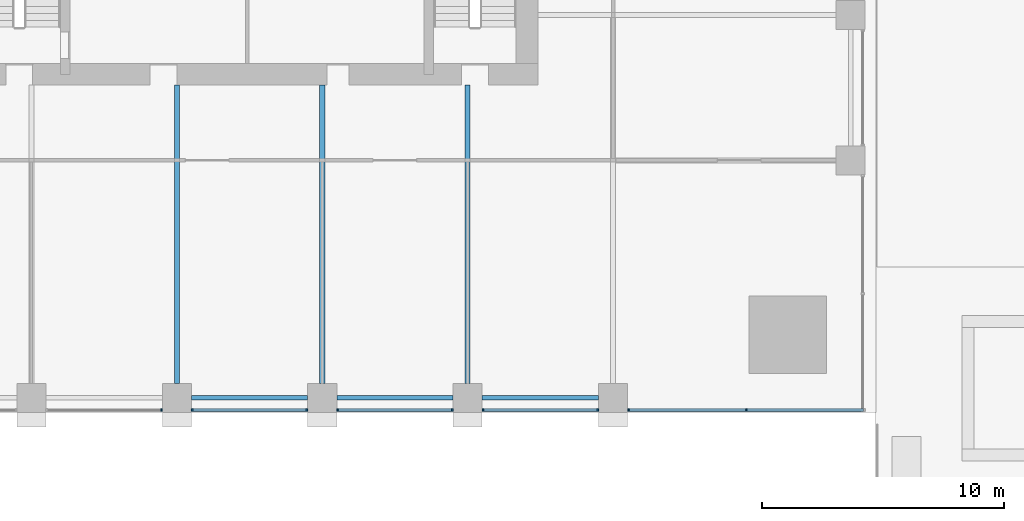
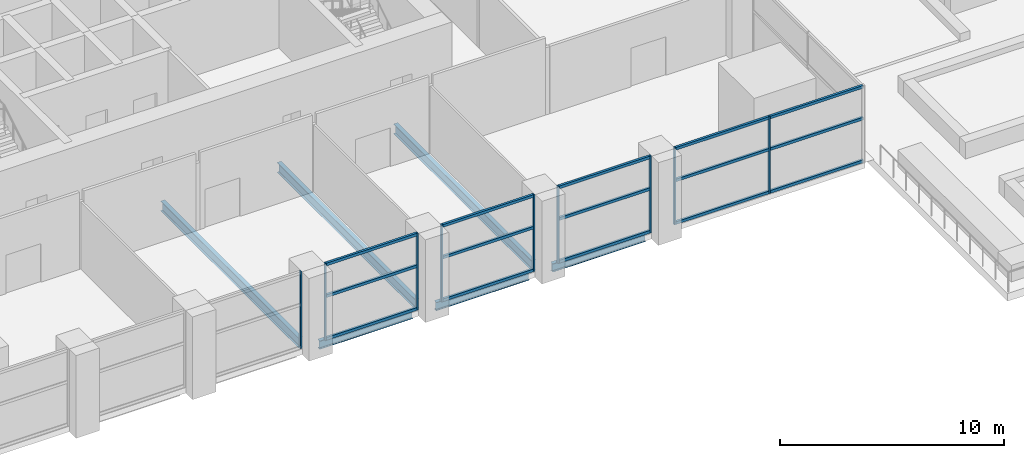
# One storey, part 4 of 34: 24 members, 6 beams, 5 elements without a shape of their own.
"""IFC4 building model written with IfcOpenShell, lengths in metres."""

from ifc_helpers import new_model, si_unit, direction, frame, origin, origin_2d, place, context, subcontext, project, spatial, rectangle, i_section, extrude, material, material_profile, profile_set, type_object, element, aggregate, save


model = new_model("IFC4")

# Units and contexts
model_context = context("Model", 3, precision=1e-05, world=origin(), true_north=direction((0.0, 1.0)))
body_context = subcontext(model_context, "Body", "Model", "MODEL_VIEW")
ifc_project = project(units=[si_unit("LENGTHUNIT", "METRE"), si_unit("AREAUNIT", "SQUARE_METRE"), si_unit("VOLUMEUNIT", "CUBIC_METRE"), si_unit("PLANEANGLEUNIT", "RADIAN"), si_unit("MASSUNIT", "GRAM", prefix="KILO")], contexts=[model_context])

# Site, building, storey
site_placement = place(None, origin())
site = spatial("IfcSite", under=ifc_project, at=site_placement, CompositionType="ELEMENT")
building_placement = place(site_placement, origin())
building = spatial("IfcBuilding", under=site, at=building_placement, Name="Amberfall Residences", CompositionType="ELEMENT")
storey_placement = place(building_placement, frame((0.0, 0.0, 5.5)))
storey = spatial("IfcBuildingStorey", under=building, at=storey_placement, Name="L01", CompositionType="ELEMENT", Elevation=5.5)

# Curtain wall, member
ifc_material_1 = material(Name="Bronze anodised aluminium and glass", Category="aluminium")
curtain_wall_type = type_object("IfcCurtainWallType", Name="Curtain wall CW4 podium storefront", PredefinedType="USERDEFINED", material=ifc_material_1)
curtain_wall_1_placement = place(storey_placement, origin())
curtain_wall_1 = element("IfcCurtainWall", 1, at=curtain_wall_1_placement, inside=storey, type_object=curtain_wall_type, Name="Storefront L01 S3", ObjectType="UNITISED CURTAIN WALL", PredefinedType="USERDEFINED")
ifc_material_2 = material(Name="Bronze anodised aluminium", Category="aluminium")
ifc_material_profile_1 = material_profile(ifc_material_2, rectangle(XDim=0.1201171875, YDim=0.070068359375, at=origin_2d()), Name="CW4 mullion 70 x 120 bronze")
ifc_profile_set_1 = profile_set([ifc_material_profile_1], Name="Bronze anodised aluminium")
member_type_1 = type_object("IfcMemberType", Name="CW4 mullion 70 x 120 bronze", PredefinedType="MULLION", material=ifc_profile_set_1)
member_1_placement = place(storey_placement, frame((70.965087890625, 20.10009765625, 0.0), z_axis=(0.0, 0.0, 1.0), x_axis=(0.0, 1.0, 0.0)))
member_1 = element("IfcMember", 2, at=member_1_placement, type_object=member_type_1, Name="CW4 mullion 2", PredefinedType="MULLION", context=body_context, shape_type="SweptSolid", body=[
    extrude(rectangle(XDim=0.1201171875, YDim=0.070068359375, at=origin_2d()), origin(), (0.0, 0.0, 1.0), 4.199951171875),
])
aggregate(curtain_wall_1, [member_1])

# Curtain wall, members
curtain_wall_2_placement = place(storey_placement, origin())
curtain_wall_2 = element("IfcCurtainWall", 3, at=curtain_wall_2_placement, inside=storey, type_object=curtain_wall_type, Name="Storefront L01 S4", ObjectType="UNITISED CURTAIN WALL", PredefinedType="USERDEFINED")
member_2_placement = place(storey_placement, frame((72.235107421875, 20.10009765625, 0.0), z_axis=(0.0, 0.0, 1.0), x_axis=(0.0, 1.0, 0.0)))
member_2 = element("IfcMember", 4, at=member_2_placement, type_object=member_type_1, Name="CW4 mullion 1", PredefinedType="MULLION", context=body_context, shape_type="SweptSolid", body=[
    extrude(rectangle(XDim=0.1201171875, YDim=0.070068359375, at=origin_2d()), origin(), (0.0, 0.0, 1.0), 4.199951171875),
])
member_3_placement = place(storey_placement, frame((76.965087890625, 20.10009765625, 0.0), z_axis=(0.0, 0.0, 1.0), x_axis=(0.0, 1.0, 0.0)))
member_3 = element("IfcMember", 5, at=member_3_placement, type_object=member_type_1, Name="CW4 mullion 2", PredefinedType="MULLION", context=body_context, shape_type="SweptSolid", body=[
    extrude(rectangle(XDim=0.1201171875, YDim=0.070068359375, at=origin_2d()), origin(), (0.0, 0.0, 1.0), 4.199951171875),
])

curtain_wall_3_placement = place(storey_placement, origin())
curtain_wall_3 = element("IfcCurtainWall", 6, at=curtain_wall_3_placement, inside=storey, type_object=curtain_wall_type, Name="Storefront L01 S5", ObjectType="UNITISED CURTAIN WALL", PredefinedType="USERDEFINED")
member_4_placement = place(storey_placement, frame((78.235107421875, 20.10009765625, 0.0), z_axis=(0.0, 0.0, 1.0), x_axis=(0.0, 1.0, 0.0)))
member_4 = element("IfcMember", 7, at=member_4_placement, type_object=member_type_1, Name="CW4 mullion 1", PredefinedType="MULLION", context=body_context, shape_type="SweptSolid", body=[
    extrude(rectangle(XDim=0.1201171875, YDim=0.070068359375, at=origin_2d()), origin(), (0.0, 0.0, 1.0), 4.199951171875),
])
member_5_placement = place(storey_placement, frame((82.965087890625, 20.10009765625, 0.0), z_axis=(0.0, 0.0, 1.0), x_axis=(0.0, 1.0, 0.0)))
member_5 = element("IfcMember", 8, at=member_5_placement, type_object=member_type_1, Name="CW4 mullion 2", PredefinedType="MULLION", context=body_context, shape_type="SweptSolid", body=[
    extrude(rectangle(XDim=0.1201171875, YDim=0.070068359375, at=origin_2d()), origin(), (0.0, 0.0, 1.0), 4.199951171875),
])

curtain_wall_4_placement = place(storey_placement, origin())
curtain_wall_4 = element("IfcCurtainWall", 9, at=curtain_wall_4_placement, inside=storey, type_object=curtain_wall_type, Name="Storefront L01 S6", ObjectType="UNITISED CURTAIN WALL", PredefinedType="USERDEFINED")
member_6_placement = place(storey_placement, frame((84.235107421875, 20.10009765625, 0.0), z_axis=(0.0, 0.0, 1.0), x_axis=(0.0, 1.0, 0.0)))
member_6 = element("IfcMember", 10, at=member_6_placement, type_object=member_type_1, Name="CW4 mullion 1", PredefinedType="MULLION", context=body_context, shape_type="SweptSolid", body=[
    extrude(rectangle(XDim=0.1201171875, YDim=0.070068359375, at=origin_2d()), origin(), (0.0, 0.0, 1.0), 4.199951171875),
])
member_7_placement = place(storey_placement, frame((88.965087890625, 20.10009765625, 0.0), z_axis=(0.0, 0.0, 1.0), x_axis=(0.0, 1.0, 0.0)))
member_7 = element("IfcMember", 11, at=member_7_placement, type_object=member_type_1, Name="CW4 mullion 2", PredefinedType="MULLION", context=body_context, shape_type="SweptSolid", body=[
    extrude(rectangle(XDim=0.1201171875, YDim=0.070068359375, at=origin_2d()), origin(), (0.0, 0.0, 1.0), 4.199951171875),
])

curtain_wall_5_placement = place(storey_placement, origin())
curtain_wall_5 = element("IfcCurtainWall", 12, at=curtain_wall_5_placement, inside=storey, type_object=curtain_wall_type, Name="Storefront L01 S7", ObjectType="UNITISED CURTAIN WALL", PredefinedType="USERDEFINED")
member_8_placement = place(storey_placement, frame((90.235107421875, 20.10009765625, 0.0), z_axis=(0.0, 0.0, 1.0), x_axis=(0.0, 1.0, 0.0)))
member_8 = element("IfcMember", 13, at=member_8_placement, type_object=member_type_1, Name="CW4 mullion 1", PredefinedType="MULLION", context=body_context, shape_type="SweptSolid", body=[
    extrude(rectangle(XDim=0.1201171875, YDim=0.070068359375, at=origin_2d()), origin(), (0.0, 0.0, 1.0), 4.199951171875),
])
member_9_placement = place(storey_placement, frame((95.10009765625, 20.10009765625, 0.0), z_axis=(0.0, 0.0, 1.0), x_axis=(0.0, 1.0, 0.0)))
member_9 = element("IfcMember", 14, at=member_9_placement, type_object=member_type_1, Name="CW4 mullion 2", PredefinedType="MULLION", context=body_context, shape_type="SweptSolid", body=[
    extrude(rectangle(XDim=0.1201171875, YDim=0.070068359375, at=origin_2d()), origin(), (0.0, 0.0, 1.0), 4.199951171875),
])

# Member
ifc_material_profile_2 = material_profile(ifc_material_2, rectangle(XDim=0.1201171875, YDim=0.14990234375, at=origin_2d()), Name="CW4 transom 120 x 150 bronze")
ifc_profile_set_2 = profile_set([ifc_material_profile_2], Name="Bronze anodised aluminium")
member_type_2 = type_object("IfcMemberType", Name="CW4 transom 120 x 150 bronze", PredefinedType="USERDEFINED", material=ifc_profile_set_2)
member_10_placement = place(storey_placement, frame((72.27001953125, 20.10009765625, 0.074951171875), z_axis=(1.0, 0.0, 0.0), x_axis=(0.0, 1.0, 0.0)))
member_10 = element("IfcMember", 15, at=member_10_placement, type_object=member_type_2, Name="CW4 transom 1.1", ObjectType="TRANSOM", PredefinedType="USERDEFINED", context=body_context, shape_type="SweptSolid", body=[
    extrude(rectangle(XDim=0.1201171875, YDim=0.14990234375, at=origin_2d()), origin(), (0.0, 0.0, 1.0), 4.659912109375),
])

member_11_placement = place(storey_placement, frame((72.27001953125, 20.10009765625, 2.39990234375), z_axis=(1.0, 0.0, 0.0), x_axis=(0.0, 1.0, 0.0)))
member_11 = element("IfcMember", 16, at=member_11_placement, type_object=member_type_2, Name="CW4 transom 1.2", ObjectType="TRANSOM", PredefinedType="USERDEFINED", context=body_context, shape_type="SweptSolid", body=[
    extrude(rectangle(XDim=0.1201171875, YDim=0.14990234375, at=origin_2d()), origin(), (0.0, 0.0, 1.0), 4.659912109375),
])

member_12_placement = place(storey_placement, frame((72.27001953125, 20.10009765625, 4.125), z_axis=(1.0, 0.0, 0.0), x_axis=(0.0, 1.0, 0.0)))
member_12 = element("IfcMember", 17, at=member_12_placement, type_object=member_type_2, Name="CW4 transom 1.3", ObjectType="TRANSOM", PredefinedType="USERDEFINED", context=body_context, shape_type="SweptSolid", body=[
    extrude(rectangle(XDim=0.1201171875, YDim=0.14990234375, at=origin_2d()), origin(), (0.0, 0.0, 1.0), 4.659912109375),
])

aggregate(curtain_wall_2, [member_2, member_3, member_10, member_11, member_12])

member_13_placement = place(storey_placement, frame((78.27001953125, 20.10009765625, 0.074951171875), z_axis=(1.0, 0.0, 0.0), x_axis=(0.0, 1.0, 0.0)))
member_13 = element("IfcMember", 18, at=member_13_placement, type_object=member_type_2, Name="CW4 transom 1.1", ObjectType="TRANSOM", PredefinedType="USERDEFINED", context=body_context, shape_type="SweptSolid", body=[
    extrude(rectangle(XDim=0.1201171875, YDim=0.14990234375, at=origin_2d()), origin(), (0.0, 0.0, 1.0), 4.659912109375),
])

member_14_placement = place(storey_placement, frame((78.27001953125, 20.10009765625, 2.39990234375), z_axis=(1.0, 0.0, 0.0), x_axis=(0.0, 1.0, 0.0)))
member_14 = element("IfcMember", 19, at=member_14_placement, type_object=member_type_2, Name="CW4 transom 1.2", ObjectType="TRANSOM", PredefinedType="USERDEFINED", context=body_context, shape_type="SweptSolid", body=[
    extrude(rectangle(XDim=0.1201171875, YDim=0.14990234375, at=origin_2d()), origin(), (0.0, 0.0, 1.0), 4.659912109375),
])

member_15_placement = place(storey_placement, frame((78.27001953125, 20.10009765625, 4.125), z_axis=(1.0, 0.0, 0.0), x_axis=(0.0, 1.0, 0.0)))
member_15 = element("IfcMember", 20, at=member_15_placement, type_object=member_type_2, Name="CW4 transom 1.3", ObjectType="TRANSOM", PredefinedType="USERDEFINED", context=body_context, shape_type="SweptSolid", body=[
    extrude(rectangle(XDim=0.1201171875, YDim=0.14990234375, at=origin_2d()), origin(), (0.0, 0.0, 1.0), 4.659912109375),
])

aggregate(curtain_wall_3, [member_4, member_5, member_13, member_14, member_15])

member_16_placement = place(storey_placement, frame((84.27001953125, 20.10009765625, 0.074951171875), z_axis=(1.0, 0.0, 0.0), x_axis=(0.0, 1.0, 0.0)))
member_16 = element("IfcMember", 21, at=member_16_placement, type_object=member_type_2, Name="CW4 transom 1.1", ObjectType="TRANSOM", PredefinedType="USERDEFINED", context=body_context, shape_type="SweptSolid", body=[
    extrude(rectangle(XDim=0.1201171875, YDim=0.14990234375, at=origin_2d()), origin(), (0.0, 0.0, 1.0), 4.659912109375),
])

member_17_placement = place(storey_placement, frame((84.27001953125, 20.10009765625, 2.39990234375), z_axis=(1.0, 0.0, 0.0), x_axis=(0.0, 1.0, 0.0)))
member_17 = element("IfcMember", 22, at=member_17_placement, type_object=member_type_2, Name="CW4 transom 1.2", ObjectType="TRANSOM", PredefinedType="USERDEFINED", context=body_context, shape_type="SweptSolid", body=[
    extrude(rectangle(XDim=0.1201171875, YDim=0.14990234375, at=origin_2d()), origin(), (0.0, 0.0, 1.0), 4.659912109375),
])

member_18_placement = place(storey_placement, frame((84.27001953125, 20.10009765625, 4.125), z_axis=(1.0, 0.0, 0.0), x_axis=(0.0, 1.0, 0.0)))
member_18 = element("IfcMember", 23, at=member_18_placement, type_object=member_type_2, Name="CW4 transom 1.3", ObjectType="TRANSOM", PredefinedType="USERDEFINED", context=body_context, shape_type="SweptSolid", body=[
    extrude(rectangle(XDim=0.1201171875, YDim=0.14990234375, at=origin_2d()), origin(), (0.0, 0.0, 1.0), 4.659912109375),
])

aggregate(curtain_wall_4, [member_6, member_7, member_16, member_17, member_18])

member_19_placement = place(storey_placement, frame((90.27001953125, 20.10009765625, 0.074951171875), z_axis=(1.0, 0.0, 0.0), x_axis=(0.0, 1.0, 0.0)))
member_19 = element("IfcMember", 24, at=member_19_placement, type_object=member_type_2, Name="CW4 transom 1.1", ObjectType="TRANSOM", PredefinedType="USERDEFINED", context=body_context, shape_type="SweptSolid", body=[
    extrude(rectangle(XDim=0.1201171875, YDim=0.14990234375, at=origin_2d()), origin(), (0.0, 0.0, 1.0), 4.794921875),
])

member_20_placement = place(storey_placement, frame((90.27001953125, 20.10009765625, 2.39990234375), z_axis=(1.0, 0.0, 0.0), x_axis=(0.0, 1.0, 0.0)))
member_20 = element("IfcMember", 25, at=member_20_placement, type_object=member_type_2, Name="CW4 transom 1.2", ObjectType="TRANSOM", PredefinedType="USERDEFINED", context=body_context, shape_type="SweptSolid", body=[
    extrude(rectangle(XDim=0.1201171875, YDim=0.14990234375, at=origin_2d()), origin(), (0.0, 0.0, 1.0), 4.794921875),
])

member_21_placement = place(storey_placement, frame((90.27001953125, 20.10009765625, 4.125), z_axis=(1.0, 0.0, 0.0), x_axis=(0.0, 1.0, 0.0)))
member_21 = element("IfcMember", 26, at=member_21_placement, type_object=member_type_2, Name="CW4 transom 1.3", ObjectType="TRANSOM", PredefinedType="USERDEFINED", context=body_context, shape_type="SweptSolid", body=[
    extrude(rectangle(XDim=0.1201171875, YDim=0.14990234375, at=origin_2d()), origin(), (0.0, 0.0, 1.0), 4.794921875),
])

member_22_placement = place(storey_placement, frame((95.135009765625, 20.10009765625, 0.074951171875), z_axis=(1.0, 0.0, 0.0), x_axis=(0.0, 1.0, 0.0)))
member_22 = element("IfcMember", 27, at=member_22_placement, type_object=member_type_2, Name="CW4 transom 2.1", ObjectType="TRANSOM", PredefinedType="USERDEFINED", context=body_context, shape_type="SweptSolid", body=[
    extrude(rectangle(XDim=0.1201171875, YDim=0.14990234375, at=origin_2d()), origin(), (0.0, 0.0, 1.0), 4.794921875),
])

member_23_placement = place(storey_placement, frame((95.135009765625, 20.10009765625, 2.39990234375), z_axis=(1.0, 0.0, 0.0), x_axis=(0.0, 1.0, 0.0)))
member_23 = element("IfcMember", 28, at=member_23_placement, type_object=member_type_2, Name="CW4 transom 2.2", ObjectType="TRANSOM", PredefinedType="USERDEFINED", context=body_context, shape_type="SweptSolid", body=[
    extrude(rectangle(XDim=0.1201171875, YDim=0.14990234375, at=origin_2d()), origin(), (0.0, 0.0, 1.0), 4.794921875),
])

member_24_placement = place(storey_placement, frame((95.135009765625, 20.10009765625, 4.125), z_axis=(1.0, 0.0, 0.0), x_axis=(0.0, 1.0, 0.0)))
member_24 = element("IfcMember", 29, at=member_24_placement, type_object=member_type_2, Name="CW4 transom 2.3", ObjectType="TRANSOM", PredefinedType="USERDEFINED", context=body_context, shape_type="SweptSolid", body=[
    extrude(rectangle(XDim=0.1201171875, YDim=0.14990234375, at=origin_2d()), origin(), (0.0, 0.0, 1.0), 4.794921875),
])

aggregate(curtain_wall_5, [member_8, member_9, member_19, member_20, member_21, member_22, member_23, member_24])

# Beams
ifc_material_3 = material(Name="Steel S355", Category="steel")
ifc_material_profile_3 = material_profile(ifc_material_3, i_section(OverallWidth=0.18994140625, OverallDepth=0.453369140625, WebThickness=0.008544921875, FlangeThickness=0.0126953125, FilletRadius=0.01025390625, at=origin_2d()), Name="UB 457x191x67")
ifc_profile_set_3 = profile_set([ifc_material_profile_3], Name="Steel S355")
beam_type_1 = type_object("IfcBeamType", Name="Edge beam UB 457x191x67", PredefinedType="SPANDREL", material=ifc_profile_set_3)
for number, where, z_axis, x_axis, name in (
    (30, (72.199951171875, 20.60009765625, -0.526611328125), (1.0, 0.0, 0.0), (0.0, 1.0, 0.0), "Edge beam B1 L01 03"),
    (31, (78.199951171875, 20.60009765625, -0.526611328125), (1.0, 0.0, 0.0), (0.0, 1.0, 0.0), "Edge beam B1 L01 04"),
    (32, (84.199951171875, 20.60009765625, -0.526611328125), (1.0, 0.0, 0.0), (0.0, 1.0, 0.0), "Edge beam B1 L01 05"),
):
    element("IfcBeam", number, at=place(storey_placement, frame(where, z_axis=z_axis, x_axis=x_axis)), inside=storey, type_object=beam_type_1, Name=name, PredefinedType="SPANDREL", context=body_context, shape_type="SweptSolid", body=[
        extrude(i_section(OverallWidth=0.18994140625, OverallDepth=0.453369140625, WebThickness=0.008544921875, FlangeThickness=0.0126953125, FilletRadius=0.01025390625, at=origin_2d()), origin(), (0.0, 0.0, 1.0), 4.800048828125),
    ])
ifc_material_profile_4 = material_profile(ifc_material_3, i_section(OverallWidth=0.210693359375, OverallDepth=0.53955078125, WebThickness=0.01171875, FlangeThickness=0.018798828125, FilletRadius=0.0126953125, at=origin_2d()), Name="UB 533x210x109")
ifc_profile_set_4 = profile_set([ifc_material_profile_4], Name="Steel S355")
beam_type_2 = type_object("IfcBeamType", Name="Floor girder UB 533x210x109", PredefinedType="BEAM", material=ifc_profile_set_4)
for number, where, z_axis, x_axis, name in (
    (33, (71.60009765625, 21.199951171875, -0.56982421875), (0.0, 1.0, 0.0), (-1.0, 0.0, 0.0), "Floor girder B2 L01 08"),
    (34, (77.60009765625, 21.199951171875, -0.56982421875), (0.0, 1.0, 0.0), (-1.0, 0.0, 0.0), "Floor girder B2 L01 09"),
    (35, (83.60009765625, 21.199951171875, -0.56982421875), (0.0, 1.0, 0.0), (-1.0, 0.0, 0.0), "Floor girder B2 L01 10"),
):
    element("IfcBeam", number, at=place(storey_placement, frame(where, z_axis=z_axis, x_axis=x_axis)), inside=storey, type_object=beam_type_2, Name=name, PredefinedType="BEAM", context=body_context, shape_type="SweptSolid", body=[
        extrude(i_section(OverallWidth=0.210693359375, OverallDepth=0.53955078125, WebThickness=0.01171875, FlangeThickness=0.018798828125, FilletRadius=0.0126953125, at=origin_2d()), origin(), (0.0, 0.0, 1.0), 12.300048828125),
    ])

save(model, "model.ifc")
